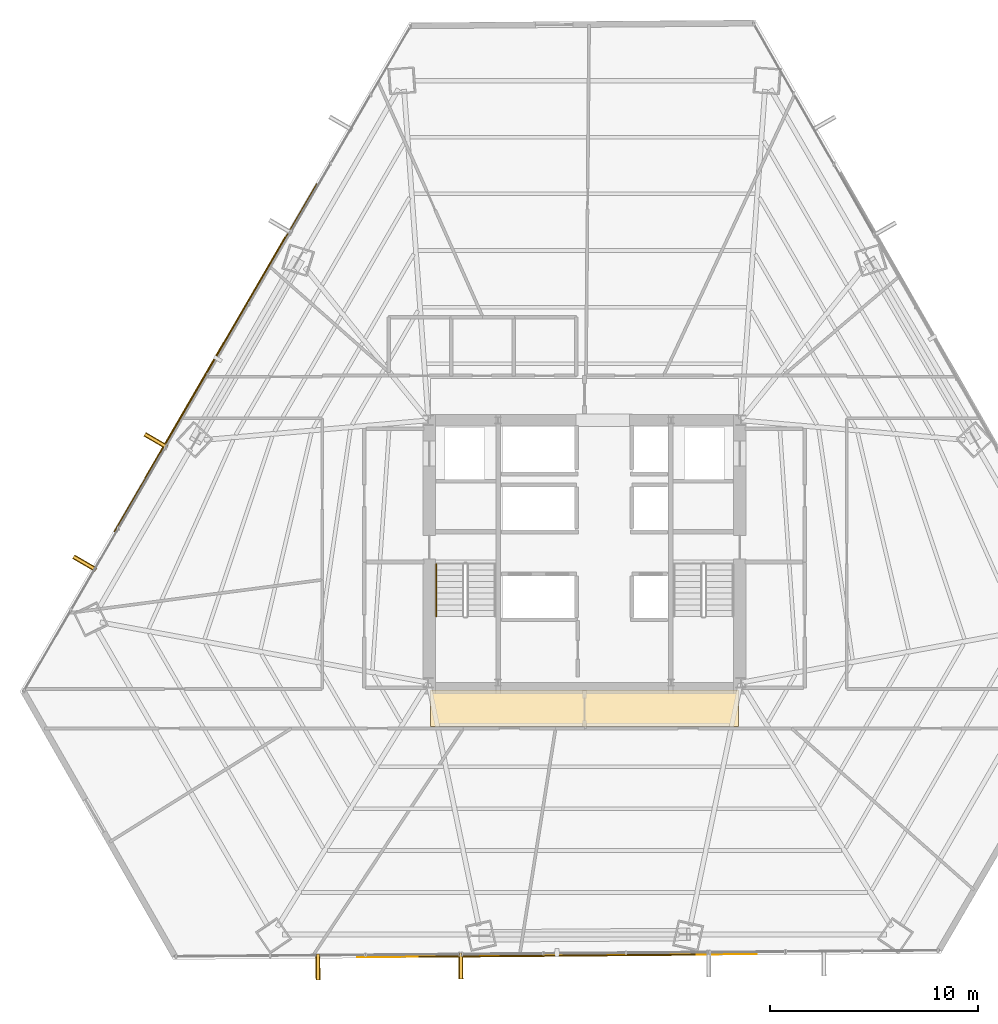
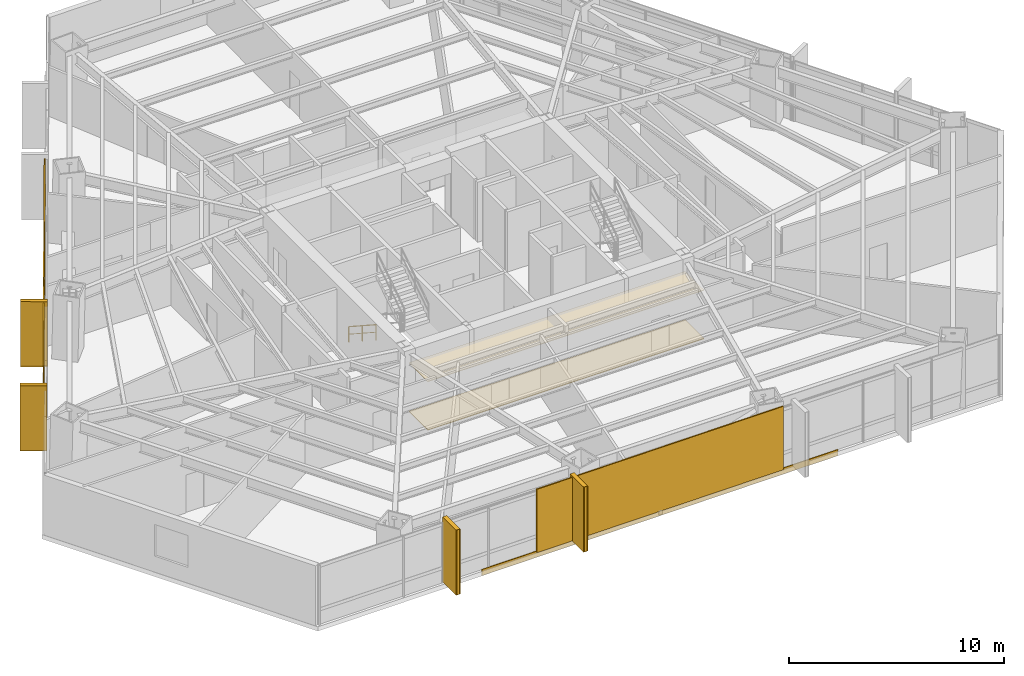
# One storey, part 32 of 34: 8 coverings, 6 shading devices, 1 railing.
"""IFC4 building model written with IfcOpenShell, lengths in metres."""

from ifc_helpers import new_model, si_unit, direction, frame, origin, origin_2d, place, context, subcontext, project, spatial, polyline, rectangle, outline, extrude, source, transform, mapped, material, layer, layer_set, type_object, type_shapes, element, save


model = new_model("IFC4")

# Units and contexts
model_context = context("Model", 3, precision=1e-05, world=origin(), true_north=direction((0.0, 1.0)))
body_context = subcontext(model_context, "Body", "Model", "MODEL_VIEW")
ifc_project = project(units=[si_unit("LENGTHUNIT", "METRE"), si_unit("AREAUNIT", "SQUARE_METRE"), si_unit("VOLUMEUNIT", "CUBIC_METRE"), si_unit("PLANEANGLEUNIT", "RADIAN"), si_unit("MASSUNIT", "GRAM", prefix="KILO")], contexts=[model_context])

# Site, building, storey
site_placement = place(None, origin())
site = spatial("IfcSite", under=ifc_project, at=site_placement, CompositionType="ELEMENT")
building_placement = place(site_placement, origin())
building = spatial("IfcBuilding", under=site, at=building_placement, Name="Caelisora Broadcast Tower", CompositionType="ELEMENT")
storey_placement = place(building_placement, frame((0.0, 0.0, 49.5)))
storey = spatial("IfcBuildingStorey", under=building, at=storey_placement, Name="L12", CompositionType="ELEMENT", Elevation=49.5)

# Coverings
ifc_material_1 = material(Name="Perforated Mineral-Fibre Acoustic Ceiling Tile", Category="gypsum")
ifc_layer_1 = layer(ifc_material_1, 0.034912109375, Name="Perforated Mineral-Fibre Acoustic Ceiling Tile")
ifc_layer_set_1 = layer_set([ifc_layer_1], Name="Perforated Mineral-Fibre Acoustic Ceiling Tile")
covering_type_1 = type_object("IfcCoveringType", Name="CE-1", PredefinedType="CEILING", material=ifc_layer_set_1)
covering_1_placement = place(storey_placement, frame((0.0, 0.0, 2.75)))
element("IfcCovering", 1, at=covering_1_placement, inside=storey, type_object=covering_type_1, Name="L12 acoustic corridor ceiling CE-1 (S)", PredefinedType="CEILING", context=body_context, shape_type="SweptSolid", body=[
    extrude(outline(polyline([(30.60009765625, 15.300048828125), (45.39990234375, 15.300048828125), (45.39990234375, 17.050048828125), (30.60009765625, 17.050048828125), (30.60009765625, 15.300048828125)])), origin(), (0.0, 0.0, 1.0), 0.034912109375),
])
ifc_material_2 = material(Name="Anti-Static Broadcast Raised Access Floor Panel", Category="steel")
ifc_layer_2 = layer(ifc_material_2, 0.044921875, Name="Anti-Static Broadcast Raised Access Floor Panel")
ifc_layer_set_2 = layer_set([ifc_layer_2], Name="Anti-Static Broadcast Raised Access Floor Panel")
covering_type_2 = type_object("IfcCoveringType", Name="FL-1", PredefinedType="FLOORING", material=ifc_layer_set_2)
covering_2_placement = place(storey_placement, origin())
element("IfcCovering", 2, at=covering_2_placement, inside=storey, type_object=covering_type_2, Name="L12 broadcast raised access floor FL-1 (S)", PredefinedType="FLOORING", context=body_context, shape_type="SweptSolid", body=[
    extrude(outline(polyline([(30.60009765625, 15.300048828125), (45.39990234375, 15.300048828125), (45.39990234375, 17.050048828125), (30.60009765625, 17.050048828125), (30.60009765625, 15.300048828125)])), origin(), (0.0, 0.0, 1.0), 0.044921875),
])

# Railing
ifc_material_3 = material(Name="Stainless Steel Grade 316 Tubular Handrail", Category="steel")
ifc_layer_3 = layer(ifc_material_3, 0.048095703125, Name="Stainless Steel Grade 316 Tubular Handrail")
ifc_layer_set_3 = layer_set([ifc_layer_3], Name="Stainless Steel Grade 316 Tubular Handrail")
railing_type = type_object("IfcRailingType", Name="HR-1", PredefinedType="HANDRAIL", material=ifc_layer_set_3)
railing_placement = place(storey_placement, frame((30.8701171875, 23.10009765625, 0.1826171875)))
element("IfcRailing", 3, at=railing_placement, inside=storey, type_object=railing_type, Name="L12 ST-1 stair handrail 1", PredefinedType="HANDRAIL", context=body_context, shape_type="SweptSolid", body=[
    extrude(rectangle(XDim=0.048095703125, YDim=0.048095703125, at=origin_2d()), frame((0.0, 0.0, 0.8759765625), z_axis=(0.0, -0.837786554691, 0.545997883492), x_axis=(1.0, 0.0, 0.0)), (0.0, 0.0, 1.0), 3.008056640625),
    extrude(rectangle(XDim=0.03125, YDim=0.03125, at=origin_2d()), frame((0.0, 0.0, 0.449951171875), z_axis=(0.0, -0.837786554691, 0.545997883492), x_axis=(1.0, 0.0, 0.0)), (0.0, 0.0, 1.0), 3.008056640625),
    extrude(rectangle(XDim=0.0419921875, YDim=0.0419921875, at=origin_2d()), origin(), (0.0, 0.0, 1.0), 0.851806640625),
    extrude(rectangle(XDim=0.0419921875, YDim=0.0419921875, at=origin_2d()), frame((0.0, -1.260009765625, 0.8212890625)), (0.0, 0.0, 1.0), 0.851806640625),
    extrude(rectangle(XDim=0.0419921875, YDim=0.0419921875, at=origin_2d()), frame((0.0, -2.52001953125, 1.642333984375)), (0.0, 0.0, 1.0), 0.851806640625),
])

# Coverings
ifc_material_4 = material(Name="Kiln-Fired Terracotta Spandrel Rainscreen Cladding", Category="ceramic")
ifc_layer_4 = layer(ifc_material_4, 0.044921875, Name="Kiln-Fired Terracotta Spandrel Rainscreen Cladding")
ifc_layer_set_4 = layer_set([ifc_layer_4], Name="Kiln-Fired Terracotta Spandrel Rainscreen Cladding")
covering_type_3 = type_object("IfcCoveringType", Name="CL-1", PredefinedType="CLADDING", material=ifc_layer_set_4)
shared_shape_1 = source(origin(), body_context, "Body", "SweptSolid", [
    extrude(rectangle(XDim=0.219970703125, YDim=1.25, at=origin_2d()), origin(), (0.0, 0.0, 1.0), 3.68994140625),
])
for number, where, z_axis, x_axis, name in (
    (4, (32.060546875, 3.797119140625, -0.02001953125), (0.0, 0.0, 1.0), (-0.999969157645, -0.007853900889, 0.0), "L12 vertical solar fin cladding #2-3"),
    (5, (25.19580078125, 3.7431640625, -0.02001953125), (0.0, 0.0, 1.0), (-0.999969157645, -0.007853900889, 0.0), "L12 vertical solar fin cladding #2-4"),
    (6, (13.9951171875, 23.136474609375, -0.02001953125), (0.0, 0.0, 1.0), (0.50286909456, 0.864362582332, 0.0), "L12 vertical solar fin cladding #3-1"),
    (7, (17.4169921875, 29.018310546875, -0.02001953125), (0.0, 0.0, 1.0), (0.50286909456, 0.864362582332, 0.0), "L12 vertical solar fin cladding #3-2"),
):
    element("IfcCovering", number, at=place(storey_placement, frame(where, z_axis=z_axis, x_axis=x_axis)), inside=storey, type_object=covering_type_3, Name=name, PredefinedType="CLADDING", context=body_context, shape_type="MappedRepresentation", body=[
        mapped(shared_shape_1, transform((0.0, 0.0, 0.0), scale=1.0)),
    ])

# Shading devices
ifc_material_5 = material(Name="Extruded Terracotta Flaring Colonnade Fin", Category="ceramic")
ifc_layer_5 = layer(ifc_material_5, 0.139892578125, Name="Extruded Terracotta Flaring Colonnade Fin")
ifc_layer_set_5 = layer_set([ifc_layer_5], Name="Extruded Terracotta Flaring Colonnade Fin")
shading_device_type_1 = type_object("IfcShadingDeviceType", Name="FN-1", PredefinedType="USERDEFINED", material=ifc_layer_set_5)
shared_shape_2 = source(origin(), body_context, "Body", "SweptSolid", [
    extrude(rectangle(XDim=0.139892578125, YDim=1.25, at=origin_2d()), origin(), (0.0, 0.0, 1.0), 3.669921875),
])
type_shapes(shading_device_type_1, [shared_shape_2])
for number, where, z_axis, x_axis, name in (
    (8, (32.060546875, 3.797119140625, -0.010009765625), (0.0, 0.0, 1.0), (-0.999969157645, -0.007853900889, 0.0), "L12 vertical terracotta fin #2-3"),
    (9, (25.19580078125, 3.7431640625, -0.010009765625), (0.0, 0.0, 1.0), (-0.999969157645, -0.007853900889, 0.0), "L12 vertical terracotta fin #2-4"),
    (10, (13.9951171875, 23.136474609375, -0.010009765625), (0.0, 0.0, 1.0), (0.50286909456, 0.864362582332, 0.0), "L12 vertical terracotta fin #3-1"),
    (11, (17.4169921875, 29.018310546875, -0.010009765625), (0.0, 0.0, 1.0), (0.50286909456, 0.864362582332, 0.0), "L12 vertical terracotta fin #3-2"),
):
    element("IfcShadingDevice", number, at=place(storey_placement, frame(where, z_axis=z_axis, x_axis=x_axis)), inside=storey, type_object=shading_device_type_1, Name=name, ObjectType="FIN", PredefinedType="USERDEFINED", context=body_context, shape_type="MappedRepresentation", body=[
        mapped(shared_shape_2, transform((0.0, 0.0, 0.0), scale=1.0)),
    ])
ifc_material_6 = material(Name="Perforated Glazed Terracotta Baguette Solar Screen", Category="ceramic")
ifc_layer_6 = layer(ifc_material_6, 0.06494140625, Name="Perforated Glazed Terracotta Baguette Solar Screen")
ifc_layer_set_6 = layer_set([ifc_layer_6], Name="Perforated Glazed Terracotta Baguette Solar Screen")
shading_device_type_2 = type_object("IfcShadingDeviceType", Name="SS-1", PredefinedType="USERDEFINED", material=ifc_layer_set_6)
shared_shape_3 = source(origin(), body_context, "Body", "SweptSolid", [
    extrude(rectangle(XDim=13.3798828125, YDim=0.06494140625, at=origin_2d()), origin(), (0.0, 0.0, 1.0), 3.590087890625),
])
shading_device_1_placement = place(storey_placement, frame((20.263671875, 33.016357421875, 0.0), z_axis=(0.0, 0.0, 1.0), x_axis=(-0.50286909456, -0.864362582332, 0.0)))
element("IfcShadingDevice", 12, at=shading_device_1_placement, inside=storey, type_object=shading_device_type_2, Name="L12 perforated terracotta solar screen #1", ObjectType="SOLAR SCREEN", PredefinedType="USERDEFINED", context=body_context, shape_type="MappedRepresentation", body=[
    mapped(shared_shape_3, transform((0.0, 0.0, 0.0), scale=1.0)),
])

# Covering
shared_shape_4 = source(origin(), body_context, "Body", "SweptSolid", [
    extrude(rectangle(XDim=19.325927734375, YDim=0.044921875, at=origin_2d()), origin(), (0.0, 0.0, 1.0), 0.340087890625),
])
covering_3_placement = place(storey_placement, frame((20.281005859375, 33.00634765625, -0.27001953125), z_axis=(0.0, 0.0, 1.0), x_axis=(-0.50286909456, -0.864362582332, 0.0)))
element("IfcCovering", 13, at=covering_3_placement, inside=storey, type_object=covering_type_3, Name="L12 terracotta spandrel rainscreen #1", PredefinedType="CLADDING", context=body_context, shape_type="MappedRepresentation", body=[
    mapped(shared_shape_4, transform((0.0, 0.0, 0.0), scale=1.0)),
])

# Shading device
shared_shape_5 = source(origin(), body_context, "Body", "SweptSolid", [
    extrude(rectangle(XDim=13.27587890625, YDim=0.06494140625, at=origin_2d()), origin(), (0.0, 0.0, 1.0), 3.590087890625),
])
type_shapes(shading_device_type_2, [shared_shape_3, shared_shape_5])
shading_device_2_placement = place(storey_placement, frame((36.677734375, 4.283447265625, 0.0), z_axis=(0.0, 0.0, 1.0), x_axis=(0.999969157645, 0.007853900889, 0.0)))
element("IfcShadingDevice", 14, at=shading_device_2_placement, inside=storey, type_object=shading_device_type_2, Name="L12 perforated terracotta solar screen #2", ObjectType="SOLAR SCREEN", PredefinedType="USERDEFINED", context=body_context, shape_type="MappedRepresentation", body=[
    mapped(shared_shape_5, transform((0.0, 0.0, 0.0), scale=1.0)),
])

# Covering
shared_shape_6 = source(origin(), body_context, "Body", "SweptSolid", [
    extrude(rectangle(XDim=19.176025390625, YDim=0.044921875, at=origin_2d()), origin(), (0.0, 0.0, 1.0), 0.340087890625),
])
type_shapes(covering_type_3, [shared_shape_1, shared_shape_4, shared_shape_6])
covering_4_placement = place(storey_placement, frame((36.677490234375, 4.303466796875, -0.27001953125), z_axis=(0.0, 0.0, 1.0), x_axis=(0.999969157645, 0.007853900889, 0.0)))
element("IfcCovering", 15, at=covering_4_placement, inside=storey, type_object=covering_type_3, Name="L12 terracotta spandrel rainscreen #2", PredefinedType="CLADDING", context=body_context, shape_type="MappedRepresentation", body=[
    mapped(shared_shape_6, transform((0.0, 0.0, 0.0), scale=1.0)),
])

save(model, "model.ifc")
